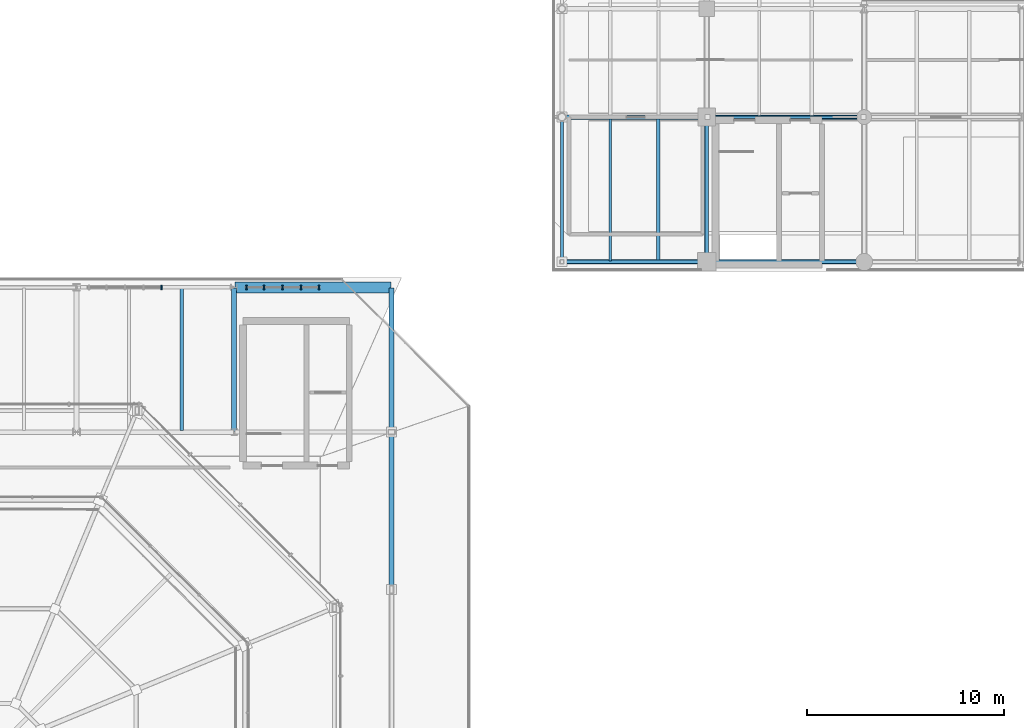
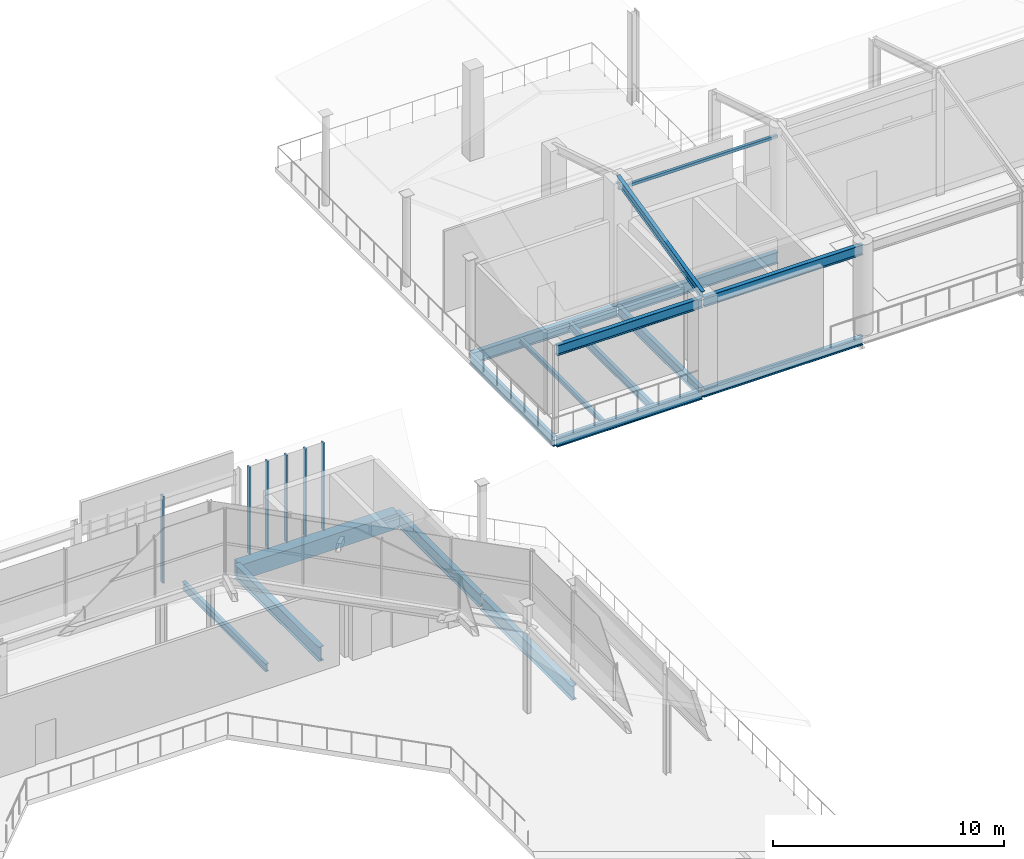
# One storey, part 15 of 30: 15 beams, 8 members, 2 elements without a shape of their own.
"""IFC4 building model written with IfcOpenShell, lengths in metres."""

from ifc_helpers import new_model, si_unit, direction, frame, origin, origin_2d, place, context, subcontext, project, spatial, rectangle, hollow_rectangle, i_section, extrude, material, material_profile, profile_set, type_object, element, aggregate, save


model = new_model("IFC4")

# Units and contexts
model_context = context("Model", 3, precision=1e-05, world=origin(), true_north=direction((0.0, 1.0)))
body_context = subcontext(model_context, "Body", "Model", "MODEL_VIEW")
ifc_project = project(units=[si_unit("LENGTHUNIT", "METRE"), si_unit("AREAUNIT", "SQUARE_METRE"), si_unit("VOLUMEUNIT", "CUBIC_METRE"), si_unit("PLANEANGLEUNIT", "RADIAN"), si_unit("MASSUNIT", "GRAM", prefix="KILO")], contexts=[model_context])

# Site, building, storey
site_placement = place(None, origin())
site = spatial("IfcSite", under=ifc_project, at=site_placement, CompositionType="ELEMENT")
building_placement = place(site_placement, origin())
building = spatial("IfcBuilding", under=site, at=building_placement, Name="Brisemont Oceanarium", CompositionType="ELEMENT")
storey_placement = place(building_placement, frame((0.0, 0.0, 19.800048828125)))
storey = spatial("IfcBuildingStorey", under=building, at=storey_placement, Name="L04", CompositionType="ELEMENT", Elevation=19.800048828125)

# Beams
ifc_material_1 = material(Name="Concrete C40/50", Category="concrete")
ifc_material_profile_1 = material_profile(ifc_material_1, rectangle(XDim=0.550048828125, YDim=0.800048828125, at=origin_2d()), Name="RC-BM-550X800")
ifc_profile_set_1 = profile_set([ifc_material_profile_1], Name="Concrete C40/50")
beam_type_1 = type_object("IfcBeamType", Name="BM-RC550X800", PredefinedType="SPANDREL", material=ifc_profile_set_1)
beam_1_placement = place(storey_placement, frame((96.0400390625, 79.35009765625, -0.66015625), z_axis=(1.0, 0.0, 0.0), x_axis=(0.0, 1.0, 0.0)))
element("IfcBeam", 1, at=beam_1_placement, inside=storey, type_object=beam_type_1, Name="V1 L04 EW girder", PredefinedType="SPANDREL", context=body_context, shape_type="SweptSolid", body=[
    extrude(rectangle(XDim=0.550048828125, YDim=0.800048828125, at=origin_2d()), origin(), (0.0, 0.0, 1.0), 7.919921875),
])
ifc_material_2 = material(Name="Structural Steel ASTM A992 Gr.50", Category="steel")
ifc_material_profile_2 = material_profile(ifc_material_2, i_section(OverallWidth=0.14599609375, OverallDepth=0.259033203125, WebThickness=0.006103515625, FlangeThickness=0.009033203125, FilletRadius=0.008056640625, at=origin_2d()), Name="W10X22")
ifc_profile_set_2 = profile_set([ifc_material_profile_2], Name="Structural Steel ASTM A992 Gr.50")
beam_type_2 = type_object("IfcBeamType", Name="BM-W10X22", PredefinedType="LINTEL", material=ifc_profile_set_2)
beam_2_placement = place(storey_placement, frame((115.10009765625, 80.68994140625, -0.36962890625), z_axis=(0.0, 1.0, 0.0), x_axis=(-1.0, 0.0, 0.0)))
element("IfcBeam", 2, at=beam_2_placement, inside=storey, type_object=beam_type_2, Name="V6 L04 secondary floor beam", PredefinedType="LINTEL", context=body_context, shape_type="SweptSolid", body=[
    extrude(i_section(OverallWidth=0.14599609375, OverallDepth=0.259033203125, WebThickness=0.006103515625, FlangeThickness=0.009033203125, FilletRadius=0.008056640625, at=origin_2d()), origin(), (0.0, 0.0, 1.0), 7.219970703125),
])
ifc_material_3 = material(Name="Structural Steel ASTM A992 Gr.50", Category="steel")
ifc_material_profile_3 = material_profile(ifc_material_3, i_section(OverallWidth=0.177978515625, OverallDepth=0.404052734375, WebThickness=0.007568359375, FlangeThickness=0.010986328125, FilletRadius=0.010009765625, at=origin_2d()), Name="W16X36")
ifc_profile_set_3 = profile_set([ifc_material_profile_3], Name="Structural Steel ASTM A992 Gr.50")
beam_type_3 = type_object("IfcBeamType", Name="BM-W16X36", PredefinedType="JOIST", material=ifc_profile_set_3)
for number, where, z_axis, x_axis, name in (
    (3, (93.333251953125, 72.090087890625, -0.462158203125), (0.0, 1.0, 0.0), (-1.0, 0.0, 0.0), "V1 L04 secondary floor beam"),
    (4, (117.550048828125, 80.68994140625, -0.442138671875), (0.0, 1.0, 0.0), (-1.0, 0.0, 0.0), "V6 L04 secondary floor beam"),
):
    element("IfcBeam", number, at=place(storey_placement, frame(where, z_axis=z_axis, x_axis=x_axis)), inside=storey, type_object=beam_type_3, Name=name, PredefinedType="JOIST", context=body_context, shape_type="SweptSolid", body=[
        extrude(i_section(OverallWidth=0.177978515625, OverallDepth=0.404052734375, WebThickness=0.007568359375, FlangeThickness=0.010986328125, FilletRadius=0.010009765625, at=origin_2d()), origin(), (0.0, 0.0, 1.0), 7.219970703125),
    ])
ifc_material_4 = material(Name="Structural Steel ASTM A992 Gr.50", Category="steel")
ifc_material_profile_4 = material_profile(ifc_material_4, i_section(OverallWidth=0.19091796875, OverallDepth=0.4599609375, WebThickness=0.010009765625, FlangeThickness=0.01611328125, FilletRadius=0.010986328125, at=origin_2d()), Name="W18X55")
ifc_profile_set_4 = profile_set([ifc_material_profile_4], Name="Structural Steel ASTM A992 Gr.50")
beam_type_4 = type_object("IfcBeamType", Name="BM-W18X55", PredefinedType="SPANDREL", material=ifc_profile_set_4)
beam_3_placement = place(storey_placement, frame((120.0400390625, 80.64990234375, -0.469970703125), z_axis=(1.0, 0.0, 0.0), x_axis=(0.0, 1.0, 0.0)))
element("IfcBeam", 5, at=beam_3_placement, inside=storey, type_object=beam_type_4, Name="V6 L04 EW girder", PredefinedType="SPANDREL", context=body_context, shape_type="SweptSolid", body=[
    extrude(i_section(OverallWidth=0.19091796875, OverallDepth=0.4599609375, WebThickness=0.010009765625, FlangeThickness=0.01611328125, FilletRadius=0.010986328125, at=origin_2d()), origin(), (0.0, 0.0, 1.0), 7.919921875),
])
ifc_material_5 = material(Name="Structural Steel ASTM A992 Gr.50", Category="steel")
ifc_material_profile_5 = material_profile(ifc_material_5, i_section(OverallWidth=0.166015625, OverallDepth=0.528076171875, WebThickness=0.009765625, FlangeThickness=0.013671875, FilletRadius=0.012939453125, at=origin_2d()), Name="W21X50")
ifc_profile_set_5 = profile_set([ifc_material_profile_5], Name="Structural Steel ASTM A992 Gr.50")
beam_type_5 = type_object("IfcBeamType", Name="BM-W21X50", PredefinedType="SPANDREL", material=ifc_profile_set_5)
for number, where, z_axis, x_axis, name in (
    (6, (112.68994140625, 80.64990234375, -0.504150390625), (1.0, 0.0, 0.0), (0.0, 1.0, 0.0), "V6 L04 EW girder"),
    (7, (112.64990234375, 80.68994140625, -0.504150390625), (0.0, 1.0, 0.0), (-1.0, 0.0, 0.0), "V6 L04 NS girder"),
):
    element("IfcBeam", number, at=place(storey_placement, frame(where, z_axis=z_axis, x_axis=x_axis)), inside=storey, type_object=beam_type_5, Name=name, PredefinedType="SPANDREL", context=body_context, shape_type="SweptSolid", body=[
        extrude(i_section(OverallWidth=0.166015625, OverallDepth=0.528076171875, WebThickness=0.009765625, FlangeThickness=0.013671875, FilletRadius=0.012939453125, at=origin_2d()), origin(), (0.0, 0.0, 1.0), 7.27001953125),
    ])
ifc_material_6 = material(Name="Structural Steel ASTM A992 Gr.50", Category="steel")
ifc_material_profile_6 = material_profile(ifc_material_6, i_section(OverallWidth=0.2099609375, OverallDepth=0.532958984375, WebThickness=0.01025390625, FlangeThickness=0.015625, FilletRadius=0.012939453125, at=origin_2d()), Name="W21X62")
ifc_profile_set_6 = profile_set([ifc_material_profile_6], Name="Structural Steel ASTM A992 Gr.50")
beam_type_6 = type_object("IfcBeamType", Name="BM-W21X62", PredefinedType="BEAM", material=ifc_profile_set_6)
for number, where, z_axis, x_axis, name in (
    (8, (120.0, 80.68994140625, -0.506591796875), (0.0, 1.0, 0.0), (-1.0, 0.0, 0.0), "V6 L04 NS girder"),
    (9, (112.68994140625, 80.64990234375, 4.33349609375), (1.0, 0.0, 0.0), (0.0, 1.0, 0.0), "V6 roof eave girder"),
):
    element("IfcBeam", number, at=place(storey_placement, frame(where, z_axis=z_axis, x_axis=x_axis)), inside=storey, type_object=beam_type_6, Name=name, PredefinedType="BEAM", context=body_context, shape_type="SweptSolid", body=[
        extrude(i_section(OverallWidth=0.2099609375, OverallDepth=0.532958984375, WebThickness=0.01025390625, FlangeThickness=0.015625, FilletRadius=0.012939453125, at=origin_2d()), origin(), (0.0, 0.0, 1.0), 7.27001953125),
    ])
beam_4_placement = place(storey_placement, frame((120.0400390625, 80.64990234375, 4.33349609375), z_axis=(1.0, 0.0, 0.0), x_axis=(0.0, 1.0, 0.0)))
element("IfcBeam", 10, at=beam_4_placement, inside=storey, type_object=beam_type_6, Name="V6 roof eave girder", PredefinedType="BEAM", context=body_context, shape_type="SweptSolid", body=[
    extrude(i_section(OverallWidth=0.2099609375, OverallDepth=0.532958984375, WebThickness=0.01025390625, FlangeThickness=0.015625, FilletRadius=0.012939453125, at=origin_2d()), origin(), (0.0, 0.0, 1.0), 7.919921875),
])
ifc_material_7 = material(Name="Structural Steel ASTM A992 Gr.50", Category="steel")
ifc_material_profile_7 = material_profile(ifc_material_7, i_section(OverallWidth=0.22802734375, OverallDepth=0.60205078125, WebThickness=0.010498046875, FlangeThickness=0.014892578125, FilletRadius=0.012939453125, at=origin_2d()), Name="W24X68")
ifc_profile_set_7 = profile_set([ifc_material_profile_7], Name="Structural Steel ASTM A992 Gr.50")
beam_type_7 = type_object("IfcBeamType", Name="BM-W24X68", PredefinedType="BEAM", material=ifc_profile_set_7)
beam_5_placement = place(storey_placement, frame((120.0400390625, 88.0, -0.541015625), z_axis=(1.0, 0.0, 0.0), x_axis=(0.0, 1.0, 0.0)))
element("IfcBeam", 11, at=beam_5_placement, inside=storey, type_object=beam_type_7, Name="V6 L04 EW girder", PredefinedType="BEAM", context=body_context, shape_type="SweptSolid", body=[
    extrude(i_section(OverallWidth=0.22802734375, OverallDepth=0.60205078125, WebThickness=0.010498046875, FlangeThickness=0.014892578125, FilletRadius=0.012939453125, at=origin_2d()), origin(), (0.0, 0.0, 1.0), 7.919921875),
])
ifc_material_8 = material(Name="Structural Steel ASTM A992 Gr.50", Category="steel")
ifc_material_profile_8 = material_profile(ifc_material_8, i_section(OverallWidth=0.22802734375, OverallDepth=0.60791015625, WebThickness=0.01123046875, FlangeThickness=0.017333984375, FilletRadius=0.012939453125, at=origin_2d()), Name="W24X76")
ifc_profile_set_8 = profile_set([ifc_material_profile_8], Name="Structural Steel ASTM A992 Gr.50")
beam_type_8 = type_object("IfcBeamType", Name="BM-W24X76", PredefinedType="BEAM", material=ifc_profile_set_8)
beam_6_placement = place(storey_placement, frame((112.68994140625, 88.0, -0.5439453125), z_axis=(1.0, 0.0, 0.0), x_axis=(0.0, 1.0, 0.0)))
element("IfcBeam", 12, at=beam_6_placement, inside=storey, type_object=beam_type_8, Name="V6 L04 EW girder", PredefinedType="BEAM", context=body_context, shape_type="SweptSolid", body=[
    extrude(i_section(OverallWidth=0.22802734375, OverallDepth=0.60791015625, WebThickness=0.01123046875, FlangeThickness=0.017333984375, FilletRadius=0.012939453125, at=origin_2d()), origin(), (0.0, 0.0, 1.0), 7.27001953125),
])
ifc_material_9 = material(Name="Structural Steel ASTM A992 Gr.50", Category="steel")
ifc_material_profile_9 = material_profile(ifc_material_9, i_section(OverallWidth=0.25390625, OverallDepth=0.68310546875, WebThickness=0.012451171875, FlangeThickness=0.018798828125, FilletRadius=0.014892578125, at=origin_2d()), Name="W27X94")
ifc_profile_set_9 = profile_set([ifc_material_profile_9], Name="Structural Steel ASTM A992 Gr.50")
beam_type_9 = type_object("IfcBeamType", Name="BM-W27X94", PredefinedType="BEAM", material=ifc_profile_set_9)
beam_7_placement = place(storey_placement, frame((104.0, 72.0400390625, -0.6015625), z_axis=(0.0, 1.0, 0.0), x_axis=(-1.0, 0.0, 0.0)))
element("IfcBeam", 13, at=beam_7_placement, inside=storey, type_object=beam_type_9, Name="V1 L04 NS girder", PredefinedType="BEAM", context=body_context, shape_type="SweptSolid", body=[
    extrude(i_section(OverallWidth=0.25390625, OverallDepth=0.68310546875, WebThickness=0.012451171875, FlangeThickness=0.018798828125, FilletRadius=0.014892578125, at=origin_2d()), origin(), (0.0, 0.0, 1.0), 7.27001953125),
])
ifc_material_10 = material(Name="Structural Steel ASTM A992 Gr.50", Category="steel")
ifc_material_profile_10 = material_profile(ifc_material_10, i_section(OverallWidth=0.264892578125, OverallDepth=0.7529296875, WebThickness=0.01318359375, FlangeThickness=0.01708984375, FilletRadius=0.01611328125, at=origin_2d()), Name="W30X99")
ifc_profile_set_10 = profile_set([ifc_material_profile_10], Name="Structural Steel ASTM A992 Gr.50")
beam_type_10 = type_object("IfcBeamType", Name="BM-W30X99", PredefinedType="BEAM", material=ifc_profile_set_10)
beam_8_placement = place(storey_placement, frame((96.0, 72.0400390625, -0.636474609375), z_axis=(0.0, 1.0, 0.0), x_axis=(-1.0, 0.0, 0.0)))
element("IfcBeam", 14, at=beam_8_placement, inside=storey, type_object=beam_type_10, Name="V1 L04 NS girder", PredefinedType="BEAM", context=body_context, shape_type="SweptSolid", body=[
    extrude(i_section(OverallWidth=0.264892578125, OverallDepth=0.7529296875, WebThickness=0.01318359375, FlangeThickness=0.01708984375, FilletRadius=0.01611328125, at=origin_2d()), origin(), (0.0, 0.0, 1.0), 7.27001953125),
])
beam_9_placement = place(storey_placement, frame((104.0, 64.0400390625, -0.636474609375), z_axis=(0.0, 1.0, 0.0), x_axis=(-1.0, 0.0, 0.0)))
element("IfcBeam", 15, at=beam_9_placement, inside=storey, type_object=beam_type_10, Name="V1 L04 NS girder", PredefinedType="BEAM", context=body_context, shape_type="SweptSolid", body=[
    extrude(i_section(OverallWidth=0.264892578125, OverallDepth=0.7529296875, WebThickness=0.01318359375, FlangeThickness=0.01708984375, FilletRadius=0.01611328125, at=origin_2d()), origin(), (0.0, 0.0, 1.0), 7.919921875),
])

# Curtain wall, member
ifc_material_11 = material(Name="Anodized Extruded Aluminum 6063-T6", Category="aluminium")
curtain_wall_type = type_object("IfcCurtainWallType", Name="CW-ROT-69X44", PredefinedType="NOTDEFINED", material=ifc_material_11)
curtain_wall_1_placement = place(storey_placement, origin())
curtain_wall_1 = element("IfcCurtainWall", 16, at=curtain_wall_1_placement, inside=storey, type_object=curtain_wall_type, Name="CW-03 curtain wall CW-V1-N-L04-03", PredefinedType="NOTDEFINED")
ifc_material_12 = material(Name="Anodized Extruded Aluminum 6063-T6", Category="aluminium")
ifc_material_profile_11 = material_profile(ifc_material_12, rectangle(XDim=0.074951171875, YDim=0.219970703125, at=origin_2d()), Name="CWM-75X220")
ifc_profile_set_11 = profile_set([ifc_material_profile_11], Name="Anodized Extruded Aluminum 6063-T6")
member_type_1 = type_object("IfcMemberType", Name="MEM-CWM-75", PredefinedType="MULLION", material=ifc_profile_set_11)
member_1_placement = place(storey_placement, frame((92.304931640625, 79.35009765625, 0.0), z_axis=(0.0, 0.0, 1.0), x_axis=(1.0, 0.0, 0.0)))
member_1 = element("IfcMember", 17, at=member_1_placement, type_object=member_type_1, Name="CW-V1-N-L04-03 mullion 5", PredefinedType="MULLION", context=body_context, shape_type="SweptSolid", body=[
    extrude(rectangle(XDim=0.074951171875, YDim=0.219970703125, at=origin_2d()), origin(), (0.0, 0.0, 1.0), 4.599853515625),
])
aggregate(curtain_wall_1, [member_1])

# Curtain wall, members
curtain_wall_2_placement = place(storey_placement, origin())
curtain_wall_2 = element("IfcCurtainWall", 18, at=curtain_wall_2_placement, inside=storey, type_object=curtain_wall_type, Name="CW-03 curtain wall CW-V1-N-L04-04", PredefinedType="NOTDEFINED")
member_2_placement = place(storey_placement, frame((96.625, 79.35009765625, 0.0), z_axis=(0.0, 0.0, 1.0), x_axis=(1.0, 0.0, 0.0)))
member_2 = element("IfcMember", 19, at=member_2_placement, type_object=member_type_1, Name="CW-V1-N-L04-04 mullion 1", PredefinedType="MULLION", context=body_context, shape_type="SweptSolid", body=[
    extrude(rectangle(XDim=0.074951171875, YDim=0.219970703125, at=origin_2d()), origin(), (0.0, 0.0, 1.0), 4.599853515625),
])
member_3_placement = place(storey_placement, frame((97.5224609375, 79.35009765625, 0.0), z_axis=(0.0, 0.0, 1.0), x_axis=(1.0, 0.0, 0.0)))
member_3 = element("IfcMember", 20, at=member_3_placement, type_object=member_type_1, Name="CW-V1-N-L04-04 mullion 2", PredefinedType="MULLION", context=body_context, shape_type="SweptSolid", body=[
    extrude(rectangle(XDim=0.074951171875, YDim=0.219970703125, at=origin_2d()), origin(), (0.0, 0.0, 1.0), 4.599853515625),
])
member_4_placement = place(storey_placement, frame((98.465087890625, 79.35009765625, 0.0), z_axis=(0.0, 0.0, 1.0), x_axis=(1.0, 0.0, 0.0)))
member_4 = element("IfcMember", 21, at=member_4_placement, type_object=member_type_1, Name="CW-V1-N-L04-04 mullion 3", PredefinedType="MULLION", context=body_context, shape_type="SweptSolid", body=[
    extrude(rectangle(XDim=0.074951171875, YDim=0.219970703125, at=origin_2d()), origin(), (0.0, 0.0, 1.0), 4.599853515625),
])
member_5_placement = place(storey_placement, frame((99.407470703125, 79.35009765625, 0.0), z_axis=(0.0, 0.0, 1.0), x_axis=(1.0, 0.0, 0.0)))
member_5 = element("IfcMember", 22, at=member_5_placement, type_object=member_type_1, Name="CW-V1-N-L04-04 mullion 4", PredefinedType="MULLION", context=body_context, shape_type="SweptSolid", body=[
    extrude(rectangle(XDim=0.074951171875, YDim=0.219970703125, at=origin_2d()), origin(), (0.0, 0.0, 1.0), 4.599853515625),
])
member_6_placement = place(storey_placement, frame((100.304931640625, 79.35009765625, 0.0), z_axis=(0.0, 0.0, 1.0), x_axis=(1.0, 0.0, 0.0)))
member_6 = element("IfcMember", 23, at=member_6_placement, type_object=member_type_1, Name="CW-V1-N-L04-04 mullion 5", PredefinedType="MULLION", context=body_context, shape_type="SweptSolid", body=[
    extrude(rectangle(XDim=0.074951171875, YDim=0.219970703125, at=origin_2d()), origin(), (0.0, 0.0, 1.0), 4.599853515625),
])
aggregate(curtain_wall_2, [member_2, member_3, member_4, member_5, member_6])

# Members
ifc_material_13 = material(Name="Structural Steel ASTM A500 Gr.C", Category="steel")
ifc_material_profile_12 = material_profile(ifc_material_13, hollow_rectangle(XDim=0.152099609375, YDim=0.152099609375, WallThickness=0.0087890625, InnerFilletRadius=0.009033203125, OuterFilletRadius=0.01806640625, at=origin_2d()), Name="HSS6X6X3/8")
ifc_profile_set_12 = profile_set([ifc_material_profile_12], Name="Structural Steel ASTM A500 Gr.C")
member_type_2 = type_object("IfcMemberType", Name="MEM-PU-HSS6X6", PredefinedType="PURLIN", material=ifc_profile_set_12)
member_7_placement = place(storey_placement, frame((120.0400390625, 88.0, 5.829833984375), z_axis=(1.0, 0.0, 0.0), x_axis=(0.0, 1.0, 0.0)))
element("IfcMember", 24, at=member_7_placement, inside=storey, type_object=member_type_2, Name="V6 ridge purlin 1", PredefinedType="PURLIN", context=body_context, shape_type="SweptSolid", body=[
    extrude(hollow_rectangle(XDim=0.152099609375, YDim=0.152099609375, WallThickness=0.0087890625, InnerFilletRadius=0.009033203125, OuterFilletRadius=0.01806640625, at=origin_2d()), origin(), (0.0, 0.0, 1.0), 7.919921875),
])
ifc_material_14 = material(Name="Structural Steel ASTM A992 Gr.50", Category="steel")
ifc_material_profile_13 = material_profile(ifc_material_14, i_section(OverallWidth=0.177978515625, OverallDepth=0.404052734375, WebThickness=0.007568359375, FlangeThickness=0.010986328125, FilletRadius=0.010009765625, at=origin_2d()), Name="W16X36")
ifc_profile_set_13 = profile_set([ifc_material_profile_13], Name="Structural Steel ASTM A992 Gr.50")
member_type_3 = type_object("IfcMemberType", Name="MEM-RF-W16X36", PredefinedType="RAFTER", material=ifc_profile_set_13)
member_8_placement = place(storey_placement, frame((120.0, 80.64990234375, 4.679931640625), z_axis=(0.0, 0.97428145007, 0.225334542511), x_axis=(-1.0, 0.0, 0.0)))
element("IfcMember", 25, at=member_8_placement, inside=storey, type_object=member_type_3, Name="V6 pitched roof rafter 1A", PredefinedType="RAFTER", context=body_context, shape_type="SweptSolid", body=[
    extrude(i_section(OverallWidth=0.177978515625, OverallDepth=0.404052734375, WebThickness=0.007568359375, FlangeThickness=0.010986328125, FilletRadius=0.010009765625, at=origin_2d()), origin(), (0.0, 0.0, 1.0), 7.544189453125),
])

save(model, "model.ifc")
